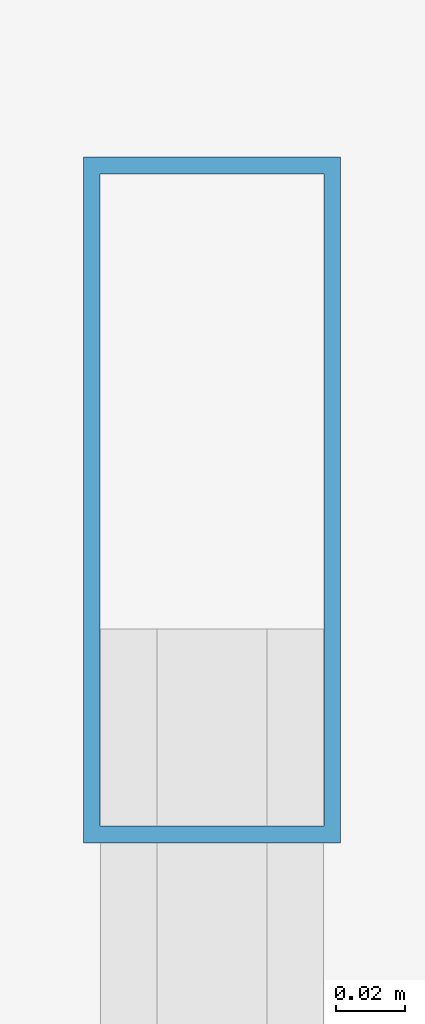
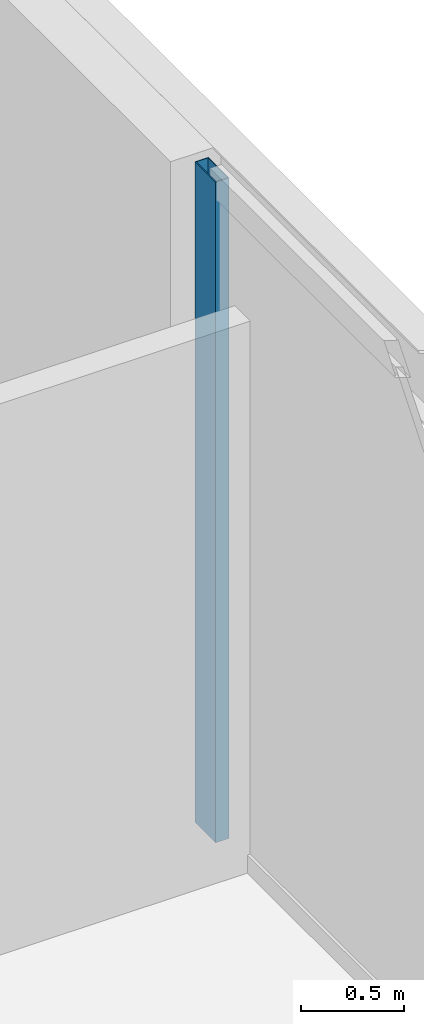
# One storey, part 30 of 46: 1 member, 1 element without a shape of its own.
"""IFC4 building model written with IfcOpenShell, lengths in metres."""

from ifc_helpers import new_model, si_unit, direction, frame, origin, origin_2d, place, context, subcontext, project, spatial, hollow_rectangle, extrude, material, layer, layer_set, material_profile, profile_set, type_object, element, aggregate, save


model = new_model("IFC4")

# Units and contexts
model_context = context("Model", 3, precision=1e-05, world=origin(), true_north=direction((0.0, 1.0)))
body_context = subcontext(model_context, "Body", "Model", "MODEL_VIEW")
ifc_project = project(units=[si_unit("LENGTHUNIT", "METRE"), si_unit("AREAUNIT", "SQUARE_METRE"), si_unit("VOLUMEUNIT", "CUBIC_METRE"), si_unit("PLANEANGLEUNIT", "RADIAN"), si_unit("MASSUNIT", "GRAM", prefix="KILO")], contexts=[model_context])

# Site, building, storey
site_placement = place(None, origin())
site = spatial("IfcSite", under=ifc_project, at=site_placement, CompositionType="ELEMENT")
building_placement = place(site_placement, origin())
building = spatial("IfcBuilding", under=site, at=building_placement, Name="Orvanel Arch Residences", CompositionType="ELEMENT")
storey_placement = place(building_placement, frame((0.0, 0.0, 14.10009765625)))
storey = spatial("IfcBuildingStorey", under=building, at=storey_placement, Name="L03", CompositionType="ELEMENT", Elevation=14.10009765625)

# Curtain wall, member
ifc_material = material(Name="Bronze-anodised aluminium AA6063-T6", Category="aluminium")
ifc_layer = layer(ifc_material, 0.199951171875)
ifc_layer_set = layer_set([ifc_layer], Name="Bronze-anodised aluminium AA6063-T6")
curtain_wall_type = type_object("IfcCurtainWallType", Name="CW1-POD-SYS", PredefinedType="NOTDEFINED", material=ifc_layer_set)
curtain_wall_placement = place(storey_placement, origin())
curtain_wall = element("IfcCurtainWall", 1, at=curtain_wall_placement, inside=storey, type_object=curtain_wall_type, Name="L03 CW1-POD-SYS Unitised Curtain Wall", PredefinedType="NOTDEFINED")
ifc_material_profile = material_profile(ifc_material, hollow_rectangle(XDim=0.074951171875, YDim=0.199951171875, WallThickness=0.0048828125, at=origin_2d()), Name="ALU200x75x5")
ifc_profile_set = profile_set([ifc_material_profile], Name="Bronze-anodised aluminium AA6063-T6")
member_type = type_object("IfcMemberType", Name="MUL-200x75", PredefinedType="MULLION", material=ifc_profile_set)
member_placement = place(storey_placement, frame((64.449951171875, 36.322509765625, 0.0), z_axis=(0.0, 0.0, 1.0), x_axis=(-1.0, 0.0, 0.0)))
member = element("IfcMember", 2, at=member_placement, type_object=member_type, Name="CW-S1 mullion 5", PredefinedType="MULLION", context=body_context, shape_type="SweptSolid", body=[
    extrude(hollow_rectangle(XDim=0.074951171875, YDim=0.199951171875, WallThickness=0.0048828125, at=origin_2d()), origin(), (0.0, 0.0, 1.0), 3.89990234375),
])
aggregate(curtain_wall, [member])

save(model, "model.ifc")
